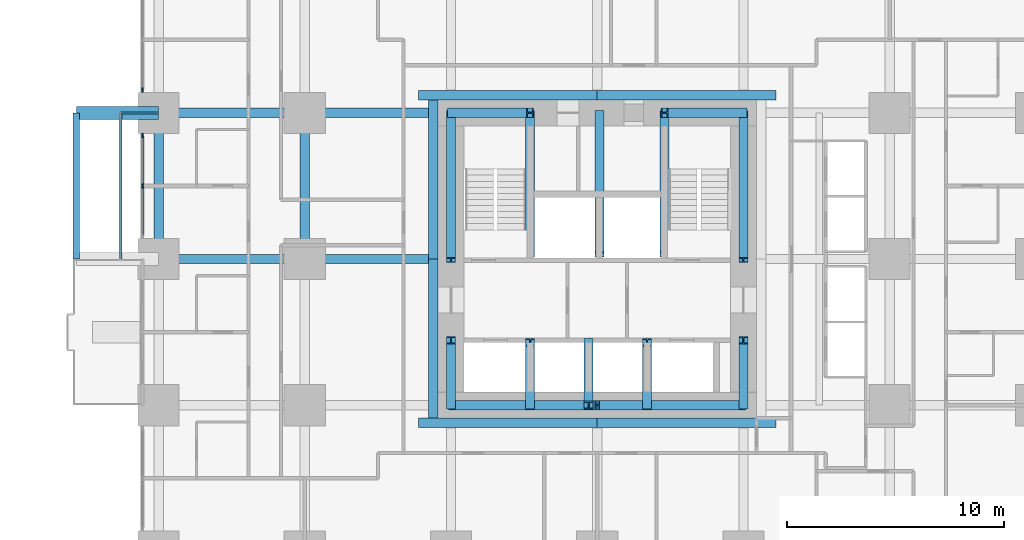
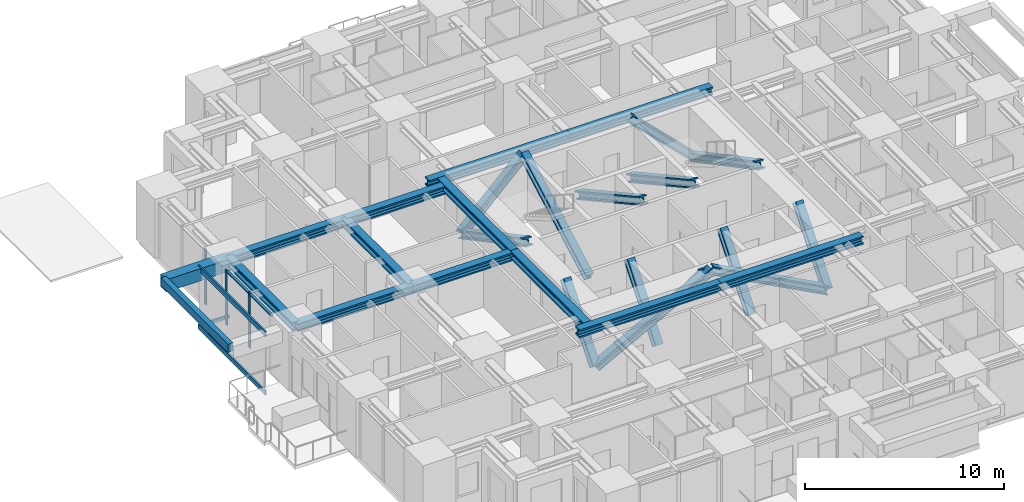
# One storey, part 3 of 14: 22 members, 14 beams, 2 elements without a shape of their own.
"""IFC4 building model written with IfcOpenShell, lengths in metres."""

from ifc_helpers import new_model, si_unit, direction, frame, origin, origin_2d, place, context, subcontext, project, spatial, rectangle, hollow_rectangle, i_section, extrude, material, material_profile, profile_set, type_object, element, aggregate, save


model = new_model("IFC4")

# Units and contexts
model_context = context("Model", 3, precision=1e-05, world=origin(), true_north=direction((0.0, 1.0)))
body_context = subcontext(model_context, "Body", "Model", "MODEL_VIEW")
ifc_project = project(units=[si_unit("LENGTHUNIT", "METRE"), si_unit("AREAUNIT", "SQUARE_METRE"), si_unit("VOLUMEUNIT", "CUBIC_METRE"), si_unit("PLANEANGLEUNIT", "RADIAN"), si_unit("MASSUNIT", "GRAM", prefix="KILO")], contexts=[model_context])

# Site, building, storey
site_placement = place(None, origin())
site = spatial("IfcSite", under=ifc_project, at=site_placement, CompositionType="ELEMENT")
building_placement = place(site_placement, origin())
building = spatial("IfcBuilding", under=site, at=building_placement, Name="Nyansa Garden Tower", CompositionType="ELEMENT")
storey_placement = place(building_placement, frame((0.0, 0.0, 18.0)))
storey = spatial("IfcBuildingStorey", under=building, at=storey_placement, Name="L04", CompositionType="ELEMENT", Elevation=18.0)

# Beams
ifc_material_1 = material(Name="Concrete C70/85", Category="concrete")
ifc_material_profile_1 = material_profile(ifc_material_1, rectangle(XDim=0.60009765625, YDim=0.75, at=origin_2d()), Name="RC 600x750")
ifc_profile_set_1 = profile_set([ifc_material_profile_1], Name="Concrete C70/85")
beam_type_1 = type_object("IfcBeamType", Name="Balcony cantilever beam CB1 RC 600x750", PredefinedType="BEAM", material=ifc_profile_set_1)
beam_1_placement = place(storey_placement, frame((0.0, 27.0, 2.985107421875), z_axis=(-1.0, 0.0, 0.0), x_axis=(0.0, -1.0, 0.0)))
element("IfcBeam", 1, at=beam_1_placement, inside=storey, type_object=beam_type_1, Name="Balcony cantilever beam L05", PredefinedType="BEAM", context=body_context, shape_type="SweptSolid", body=[
    extrude(rectangle(XDim=0.60009765625, YDim=0.75, at=origin_2d()), origin(), (0.0, 0.0, 1.0), 3.800048828125),
])
ifc_material_2 = material(Name="Concrete C70/85", Category="concrete")
ifc_material_profile_2 = material_profile(ifc_material_2, rectangle(XDim=0.300048828125, YDim=0.5, at=origin_2d()), Name="RC 300x500")
ifc_profile_set_2 = profile_set([ifc_material_profile_2], Name="Concrete C70/85")
beam_type_2 = type_object("IfcBeamType", Name="Balcony edge beam BE1 RC 300x500", PredefinedType="BEAM", material=ifc_profile_set_2)
beam_2_placement = place(storey_placement, frame((-3.800048828125, 20.25, 3.110107421875), z_axis=(0.0, 1.0, 0.0), x_axis=(-1.0, 0.0, 0.0)))
element("IfcBeam", 2, at=beam_2_placement, inside=storey, type_object=beam_type_2, Name="Balcony edge beam L05", PredefinedType="BEAM", context=body_context, shape_type="SweptSolid", body=[
    extrude(rectangle(XDim=0.300048828125, YDim=0.5, at=origin_2d()), origin(), (0.0, 0.0, 1.0), 6.75),
])

# Curtain wall, member
ifc_material_3 = material(Name="Black anodised aluminium, dark tinted double glazing", Category="aluminium")
curtain_wall_type = type_object("IfcCurtainWallType", Name="Inner skin curtain wall ISW-A", PredefinedType="USERDEFINED", material=ifc_material_3)
curtain_wall_1_placement = place(storey_placement, origin())
curtain_wall_1 = element("IfcCurtainWall", 3, at=curtain_wall_1_placement, inside=storey, type_object=curtain_wall_type, Name="Inner skin curtain wall L04 W", ObjectType="UNITISED CURTAIN WALL", PredefinedType="USERDEFINED")
ifc_material_4 = material(Name="Black anodised aluminium", Category="aluminium")
ifc_material_profile_3 = material_profile(ifc_material_4, rectangle(XDim=0.06494140625, YDim=0.199951171875, at=origin_2d()), Name="Mullion 200x65")
ifc_profile_set_3 = profile_set([ifc_material_profile_3], Name="Black anodised aluminium")
member_type_1 = type_object("IfcMemberType", Name="Mullion ISW-A 200x65", PredefinedType="MULLION", material=ifc_profile_set_3)
member_1_placement = place(storey_placement, frame((-0.75, 28.050048828125, 0.0), z_axis=(0.0, 0.0, 1.0), x_axis=(1.0, 0.0, 0.0)))
member_1 = element("IfcMember", 4, at=member_1_placement, type_object=member_type_1, Name="ISW-A mullion 3", PredefinedType="MULLION", context=body_context, shape_type="SweptSolid", body=[
    extrude(rectangle(XDim=0.06494140625, YDim=0.199951171875, at=origin_2d()), origin(), (0.0, 0.0, 1.0), 3.375),
])
aggregate(curtain_wall_1, [member_1])

# Curtain wall, members
curtain_wall_2_placement = place(storey_placement, origin())
curtain_wall_2 = element("IfcCurtainWall", 5, at=curtain_wall_2_placement, inside=storey, type_object=curtain_wall_type, Name="Inner skin curtain wall L04 W", ObjectType="UNITISED CURTAIN WALL", PredefinedType="USERDEFINED")
member_2_placement = place(storey_placement, frame((-0.75, 25.949951171875, 0.0), z_axis=(0.0, 0.0, 1.0), x_axis=(1.0, 0.0, 0.0)))
member_2 = element("IfcMember", 6, at=member_2_placement, type_object=member_type_1, Name="ISW-A mullion 1", PredefinedType="MULLION", context=body_context, shape_type="SweptSolid", body=[
    extrude(rectangle(XDim=0.06494140625, YDim=0.199951171875, at=origin_2d()), origin(), (0.0, 0.0, 1.0), 3.375),
])
member_3_placement = place(storey_placement, frame((-0.75, 23.625, 0.0), z_axis=(0.0, 0.0, 1.0), x_axis=(1.0, 0.0, 0.0)))
member_3 = element("IfcMember", 7, at=member_3_placement, type_object=member_type_1, Name="ISW-A mullion 2", PredefinedType="MULLION", context=body_context, shape_type="SweptSolid", body=[
    extrude(rectangle(XDim=0.06494140625, YDim=0.199951171875, at=origin_2d()), origin(), (0.0, 0.0, 1.0), 3.375),
])

# Members
ifc_material_5 = material(Name="Steel S355, black powder coated", Category="steel")
ifc_material_profile_4 = material_profile(ifc_material_5, hollow_rectangle(XDim=0.10009765625, YDim=0.199951171875, WallThickness=0.008056640625, at=origin_2d()), Name="RHS 200x100x8")
ifc_profile_set_4 = profile_set([ifc_material_profile_4], Name="Steel S355, black powder coated")
member_type_2 = type_object("IfcMemberType", Name="Outer skin bracket arm RHS 200x100x8", PredefinedType="USERDEFINED", material=ifc_profile_set_4)
member_4_placement = place(storey_placement, frame((0.0, 27.0, -0.375), z_axis=(-1.0, 0.0, 0.0), x_axis=(0.0, -1.0, 0.0)))
element("IfcMember", 8, at=member_4_placement, inside=storey, type_object=member_type_2, Name="Outer skin bracket arm", ObjectType="OUTER SKIN BRACKET", PredefinedType="USERDEFINED", context=body_context, shape_type="SweptSolid", body=[
    extrude(hollow_rectangle(XDim=0.10009765625, YDim=0.199951171875, WallThickness=0.008056640625, at=origin_2d()), origin(), (0.0, 0.0, 1.0), 1.75),
])
ifc_material_6 = material(Name="Steel S355, black powder coated", Category="steel")
ifc_material_profile_5 = material_profile(ifc_material_6, hollow_rectangle(XDim=0.10009765625, YDim=0.300048828125, WallThickness=0.010009765625, at=origin_2d()), Name="RHS 300x100x10")
ifc_profile_set_5 = profile_set([ifc_material_profile_5], Name="Steel S355, black powder coated")
member_type_3 = type_object("IfcMemberType", Name="Outer skin rail RHS 300x100x10", PredefinedType="USERDEFINED", material=ifc_profile_set_5)
for number, where, z_axis, x_axis, name in (
    (9, (-1.75, 20.25, -0.375), (0.0, 1.0, 0.0), (-1.0, 0.0, 0.0), "Outer skin rail L04"),
    (10, (-1.75, 20.25, 3.22509765625), (0.0, 1.0, 0.0), (-1.0, 0.0, 0.0), "Outer skin rail L04 head"),
):
    element("IfcMember", number, at=place(storey_placement, frame(where, z_axis=z_axis, x_axis=x_axis)), inside=storey, type_object=member_type_3, Name=name, ObjectType="OUTER SKIN RAIL", PredefinedType="USERDEFINED", context=body_context, shape_type="SweptSolid", body=[
        extrude(hollow_rectangle(XDim=0.10009765625, YDim=0.300048828125, WallThickness=0.010009765625, at=origin_2d()), origin(), (0.0, 0.0, 1.0), 6.75),
    ])
ifc_material_7 = material(Name="Steel S355", Category="steel")
ifc_material_profile_6 = material_profile(ifc_material_7, i_section(OverallWidth=0.424072265625, OverallDepth=0.47412109375, WebThickness=0.047607421875, FlangeThickness=0.076904296875, FilletRadius=0.014892578125, at=origin_2d()), Name="HD 400x634")
ifc_profile_set_6 = profile_set([ifc_material_profile_6], Name="Steel S355")
member_type_4 = type_object("IfcMemberType", Name="Perimeter brace HD 400x634", PredefinedType="BRACE", material=ifc_profile_set_6)
for number, where, z_axis, x_axis, name in (
    (11, (13.5, 13.5, 0.0), (0.882347640589, 0.0, 0.47059817376), (0.0, 1.0, 0.0), "Core brace CS1 L04"),
    (12, (27.0, 13.5, 0.0), (-0.882347640589, 0.0, 0.47059817376), (0.0, -1.0, 0.0), "Core brace CS2 L04"),
):
    element("IfcMember", number, at=place(storey_placement, frame(where, z_axis=z_axis, x_axis=x_axis)), inside=storey, type_object=member_type_4, Name=name, PredefinedType="BRACE", context=body_context, shape_type="SweptSolid", body=[
        extrude(i_section(OverallWidth=0.424072265625, OverallDepth=0.47412109375, WebThickness=0.047607421875, FlangeThickness=0.076904296875, FilletRadius=0.014892578125, at=origin_2d()), origin(), (0.0, 0.0, 1.0), 7.650146484375),
    ])
for number, where, z_axis, x_axis, name in (
    (13, (13.5, 27.0, 0.0), (0.711947531702, 0.0, 0.702232662373), (0.0, 1.0, 0.0), "Core brace CN3 L04"),
    (14, (27.0, 27.0, 0.0), (-0.711947531702, 0.0, 0.702232662373), (0.0, -1.0, 0.0), "Core brace CN4 L04"),
):
    element("IfcMember", number, at=place(storey_placement, frame(where, z_axis=z_axis, x_axis=x_axis)), inside=storey, type_object=member_type_4, Name=name, PredefinedType="BRACE", context=body_context, shape_type="SweptSolid", body=[
        extrude(i_section(OverallWidth=0.424072265625, OverallDepth=0.47412109375, WebThickness=0.047607421875, FlangeThickness=0.076904296875, FilletRadius=0.014892578125, at=origin_2d()), origin(), (0.0, 0.0, 1.0), 5.126708984375),
    ])
member_5_placement = place(storey_placement, frame((13.5, 13.5, 0.0), z_axis=(0.0, 0.640174150918, 0.768229820104), x_axis=(-1.0, 0.0, 0.0)))
element("IfcMember", 15, at=member_5_placement, inside=storey, type_object=member_type_4, Name="Core brace CW5 L04", PredefinedType="BRACE", context=body_context, shape_type="SweptSolid", body=[
    extrude(i_section(OverallWidth=0.424072265625, OverallDepth=0.47412109375, WebThickness=0.047607421875, FlangeThickness=0.076904296875, FilletRadius=0.014892578125, at=origin_2d()), origin(), (0.0, 0.0, 1.0), 4.686279296875),
])
member_6_placement = place(storey_placement, frame((13.5, 27.0, 0.0), z_axis=(0.0, -0.883784057226, 0.467895009796), x_axis=(1.0, 0.0, 0.0)))
element("IfcMember", 16, at=member_6_placement, inside=storey, type_object=member_type_4, Name="Core brace CW6 L04", PredefinedType="BRACE", context=body_context, shape_type="SweptSolid", body=[
    extrude(i_section(OverallWidth=0.424072265625, OverallDepth=0.47412109375, WebThickness=0.047607421875, FlangeThickness=0.076904296875, FilletRadius=0.014892578125, at=origin_2d()), origin(), (0.0, 0.0, 1.0), 7.6943359375),
])
member_7_placement = place(storey_placement, frame((27.0, 13.5, 0.0), z_axis=(0.0, 0.640174150918, 0.768229820104), x_axis=(-1.0, 0.0, 0.0)))
element("IfcMember", 17, at=member_7_placement, inside=storey, type_object=member_type_4, Name="Core brace CE7 L04", PredefinedType="BRACE", context=body_context, shape_type="SweptSolid", body=[
    extrude(i_section(OverallWidth=0.424072265625, OverallDepth=0.47412109375, WebThickness=0.047607421875, FlangeThickness=0.076904296875, FilletRadius=0.014892578125, at=origin_2d()), origin(), (0.0, 0.0, 1.0), 4.686279296875),
])
member_8_placement = place(storey_placement, frame((27.0, 27.0, 0.0), z_axis=(0.0, -0.883784057226, 0.467895009796), x_axis=(1.0, 0.0, 0.0)))
element("IfcMember", 18, at=member_8_placement, inside=storey, type_object=member_type_4, Name="Core brace CE8 L04", PredefinedType="BRACE", context=body_context, shape_type="SweptSolid", body=[
    extrude(i_section(OverallWidth=0.424072265625, OverallDepth=0.47412109375, WebThickness=0.047607421875, FlangeThickness=0.076904296875, FilletRadius=0.014892578125, at=origin_2d()), origin(), (0.0, 0.0, 1.0), 7.6943359375),
])
for number, where, z_axis, x_axis, name in (
    (19, (17.14990234375, 20.449951171875, 0.0), (0.0, 0.876353113771, 0.481669201822), (-1.0, 0.0, 0.0), "Core brace CWS9 L04"),
    (20, (23.35009765625, 27.0, 0.0), (0.0, -0.876353113771, 0.481669201822), (1.0, 0.0, 0.0), "Core brace CES10 L04"),
):
    element("IfcMember", number, at=place(storey_placement, frame(where, z_axis=z_axis, x_axis=x_axis)), inside=storey, type_object=member_type_4, Name=name, PredefinedType="BRACE", context=body_context, shape_type="SweptSolid", body=[
        extrude(i_section(OverallWidth=0.424072265625, OverallDepth=0.47412109375, WebThickness=0.047607421875, FlangeThickness=0.076904296875, FilletRadius=0.014892578125, at=origin_2d()), origin(), (0.0, 0.0, 1.0), 7.47412109375),
    ])
for number, where, z_axis, x_axis, name in (
    (21, (17.14990234375, 13.5, 0.0), (0.0, 0.627306405886, 0.778772542617), (-1.0, 0.0, 0.0), "Core brace CSW11 L04"),
    (22, (19.85009765625, 16.39990234375, 0.0), (0.0, -0.627306405886, 0.778772542617), (1.0, 0.0, 0.0), "Core brace CSW12 L04"),
    (23, (22.550048828125, 13.5, 0.0), (0.0, 0.627306405886, 0.778772542617), (-1.0, 0.0, 0.0), "Core brace CSW13 L04"),
):
    element("IfcMember", number, at=place(storey_placement, frame(where, z_axis=z_axis, x_axis=x_axis)), inside=storey, type_object=member_type_4, Name=name, PredefinedType="BRACE", context=body_context, shape_type="SweptSolid", body=[
        extrude(i_section(OverallWidth=0.424072265625, OverallDepth=0.47412109375, WebThickness=0.047607421875, FlangeThickness=0.076904296875, FilletRadius=0.014892578125, at=origin_2d()), origin(), (0.0, 0.0, 1.0), 4.622802734375),
    ])
member_9_placement = place(storey_placement, frame((20.35009765625, 27.0, 0.0), z_axis=(0.0, -0.876353113771, 0.481669201822), x_axis=(1.0, 0.0, 0.0)))
element("IfcMember", 24, at=member_9_placement, inside=storey, type_object=member_type_4, Name="Core brace CNW14 L04", PredefinedType="BRACE", context=body_context, shape_type="SweptSolid", body=[
    extrude(i_section(OverallWidth=0.424072265625, OverallDepth=0.47412109375, WebThickness=0.047607421875, FlangeThickness=0.076904296875, FilletRadius=0.014892578125, at=origin_2d()), origin(), (0.0, 0.0, 1.0), 7.47412109375),
])

# Beams
ifc_material_8 = material(Name="Steel S355", Category="steel")
ifc_material_profile_7 = material_profile(ifc_material_8, i_section(OverallWidth=0.431884765625, OverallDepth=0.498046875, WebThickness=0.0556640625, FlangeThickness=0.0888671875, FilletRadius=0.014892578125, at=origin_2d()), Name="HD 400x744")
ifc_profile_set_7 = profile_set([ifc_material_profile_7], Name="Steel S355")
beam_type_3 = type_object("IfcBeamType", Name="Steel beam SBA1-744 HD 400x744", PredefinedType="BEAM", material=ifc_profile_set_7)
for number, where, z_axis, x_axis, name in (
    (25, (0.0, 20.25, 3.1259765625), (1.0, 0.0, 0.0), (0.0, 1.0, 0.0), "Steel beam 2/G-3/G L05"),
    (26, (0.0, 27.0, 3.1259765625), (1.0, 0.0, 0.0), (0.0, 1.0, 0.0), "Steel beam 2/H-3/H L05"),
    (27, (6.75, 20.25, 3.1259765625), (0.0, 1.0, 0.0), (-1.0, 0.0, 0.0), "Steel beam 3/G-3/H L05"),
):
    element("IfcBeam", number, at=place(storey_placement, frame(where, z_axis=z_axis, x_axis=x_axis)), inside=storey, type_object=beam_type_3, Name=name, PredefinedType="BEAM", context=body_context, shape_type="SweptSolid", body=[
        extrude(i_section(OverallWidth=0.431884765625, OverallDepth=0.498046875, WebThickness=0.0556640625, FlangeThickness=0.0888671875, FilletRadius=0.014892578125, at=origin_2d()), origin(), (0.0, 0.0, 1.0), 6.75),
    ])
for number, where, z_axis, x_axis, name in (
    (28, (6.75, 20.25, 3.1259765625), (1.0, 0.0, 0.0), (0.0, 1.0, 0.0), "Steel beam 3/G-12.450/G L05"),
    (29, (6.75, 27.0, 3.1259765625), (1.0, 0.0, 0.0), (0.0, 1.0, 0.0), "Steel beam 3/H-12.450/H L05"),
):
    element("IfcBeam", number, at=place(storey_placement, frame(where, z_axis=z_axis, x_axis=x_axis)), inside=storey, type_object=beam_type_3, Name=name, PredefinedType="BEAM", context=body_context, shape_type="SweptSolid", body=[
        extrude(i_section(OverallWidth=0.431884765625, OverallDepth=0.498046875, WebThickness=0.0556640625, FlangeThickness=0.0888671875, FilletRadius=0.014892578125, at=origin_2d()), origin(), (0.0, 0.0, 1.0), 5.699951171875),
    ])
ifc_material_9 = material(Name="Steel S355", Category="steel")
ifc_material_profile_8 = material_profile(ifc_material_9, i_section(OverallWidth=0.431884765625, OverallDepth=0.498046875, WebThickness=0.0556640625, FlangeThickness=0.0888671875, FilletRadius=0.014892578125, at=origin_2d()), Name="HD 400x744")
ifc_profile_set_8 = profile_set([ifc_material_profile_8], Name="Steel S355")
beam_type_4 = type_object("IfcBeamType", Name="Steel beam SEBA-744 HD 400x744", PredefinedType="BEAM", material=ifc_profile_set_8)
beam_3_placement = place(storey_placement, frame((0.0, 20.25, 3.1259765625), z_axis=(0.0, 1.0, 0.0), x_axis=(-1.0, 0.0, 0.0)))
element("IfcBeam", 30, at=beam_3_placement, inside=storey, type_object=beam_type_4, Name="Steel edge beam 2/G-2/H L05", PredefinedType="BEAM", context=body_context, shape_type="SweptSolid", body=[
    extrude(i_section(OverallWidth=0.431884765625, OverallDepth=0.498046875, WebThickness=0.0556640625, FlangeThickness=0.0888671875, FilletRadius=0.014892578125, at=origin_2d()), origin(), (0.0, 0.0, 1.0), 6.75),
])
ifc_material_10 = material(Name="Steel S355", Category="steel")
ifc_material_profile_9 = material_profile(ifc_material_10, i_section(OverallWidth=0.431884765625, OverallDepth=0.498046875, WebThickness=0.0556640625, FlangeThickness=0.0888671875, FilletRadius=0.014892578125, at=origin_2d()), Name="HD 400x744")
ifc_profile_set_9 = profile_set([ifc_material_profile_9], Name="Steel S355")
beam_type_5 = type_object("IfcBeamType", Name="Steel beam SLB1-744 HD 400x744", PredefinedType="BEAM", material=ifc_profile_set_9)
for number, where, z_axis, x_axis, name in (
    (31, (12.0, 12.68408203125, 3.1259765625), (1.0, 0.0, 0.0), (0.0, 1.0, 0.0), "Steel core ledger beam S.1 L05"),
    (32, (20.25, 12.68408203125, 3.1259765625), (1.0, 0.0, 0.0), (0.0, 1.0, 0.0), "Steel core ledger beam S.2 L05"),
    (33, (28.5, 27.81591796875, 3.1259765625), (-1.0, 0.0, 0.0), (0.0, -1.0, 0.0), "Steel core ledger beam N.1 L05"),
    (34, (20.25, 27.81591796875, 3.1259765625), (-1.0, 0.0, 0.0), (0.0, -1.0, 0.0), "Steel core ledger beam N.2 L05"),
):
    element("IfcBeam", number, at=place(storey_placement, frame(where, z_axis=z_axis, x_axis=x_axis)), inside=storey, type_object=beam_type_5, Name=name, PredefinedType="BEAM", context=body_context, shape_type="SweptSolid", body=[
        extrude(i_section(OverallWidth=0.431884765625, OverallDepth=0.498046875, WebThickness=0.0556640625, FlangeThickness=0.0888671875, FilletRadius=0.014892578125, at=origin_2d()), origin(), (0.0, 0.0, 1.0), 8.25),
    ])
for number, where, z_axis, x_axis, name in (
    (35, (12.68408203125, 27.60009765625, 3.1259765625), (0.0, -1.0, 0.0), (1.0, 0.0, 0.0), "Steel core ledger beam W.1 L05"),
    (36, (12.68408203125, 20.25, 3.1259765625), (0.0, -1.0, 0.0), (1.0, 0.0, 0.0), "Steel core ledger beam W.2 L05"),
):
    element("IfcBeam", number, at=place(storey_placement, frame(where, z_axis=z_axis, x_axis=x_axis)), inside=storey, type_object=beam_type_5, Name=name, PredefinedType="BEAM", context=body_context, shape_type="SweptSolid", body=[
        extrude(i_section(OverallWidth=0.431884765625, OverallDepth=0.498046875, WebThickness=0.0556640625, FlangeThickness=0.0888671875, FilletRadius=0.014892578125, at=origin_2d()), origin(), (0.0, 0.0, 1.0), 7.35009765625),
    ])

# Member
ifc_material_11 = material(Name="Black anodised aluminium", Category="aluminium")
ifc_material_profile_10 = material_profile(ifc_material_11, rectangle(XDim=0.14990234375, YDim=0.06494140625, at=origin_2d()), Name="Transom 150x65")
ifc_profile_set_10 = profile_set([ifc_material_profile_10], Name="Black anodised aluminium")
member_type_5 = type_object("IfcMemberType", Name="Transom ISW-A 150x65", PredefinedType="USERDEFINED", material=ifc_profile_set_10)
member_10_placement = place(storey_placement, frame((-0.75, 25.91748046875, 3.342529296875), z_axis=(0.0, -1.0, 0.0), x_axis=(1.0, 0.0, 0.0)))
member_10 = element("IfcMember", 37, at=member_10_placement, type_object=member_type_5, Name="ISW-A transom 1", ObjectType="TRANSOM", PredefinedType="USERDEFINED", context=body_context, shape_type="SweptSolid", body=[
    extrude(rectangle(XDim=0.14990234375, YDim=0.06494140625, at=origin_2d()), origin(), (0.0, 0.0, 1.0), 2.260009765625),
])

member_11_placement = place(storey_placement, frame((-0.75, 23.592529296875, 3.342529296875), z_axis=(0.0, -1.0, 0.0), x_axis=(1.0, 0.0, 0.0)))
member_11 = element("IfcMember", 38, at=member_11_placement, type_object=member_type_5, Name="ISW-A transom 2", ObjectType="TRANSOM", PredefinedType="USERDEFINED", context=body_context, shape_type="SweptSolid", body=[
    extrude(rectangle(XDim=0.14990234375, YDim=0.06494140625, at=origin_2d()), origin(), (0.0, 0.0, 1.0), 2.260009765625),
])

aggregate(curtain_wall_2, [member_2, member_3, member_10, member_11])

save(model, "model.ifc")
